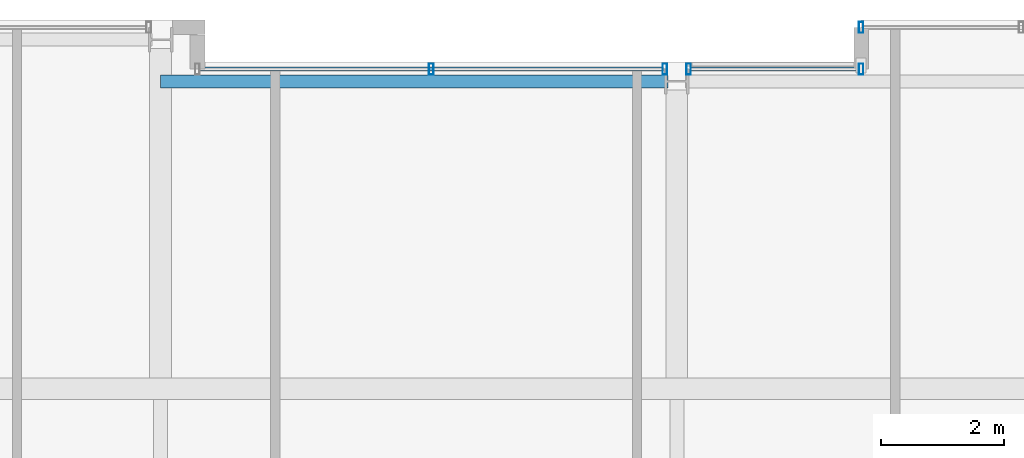
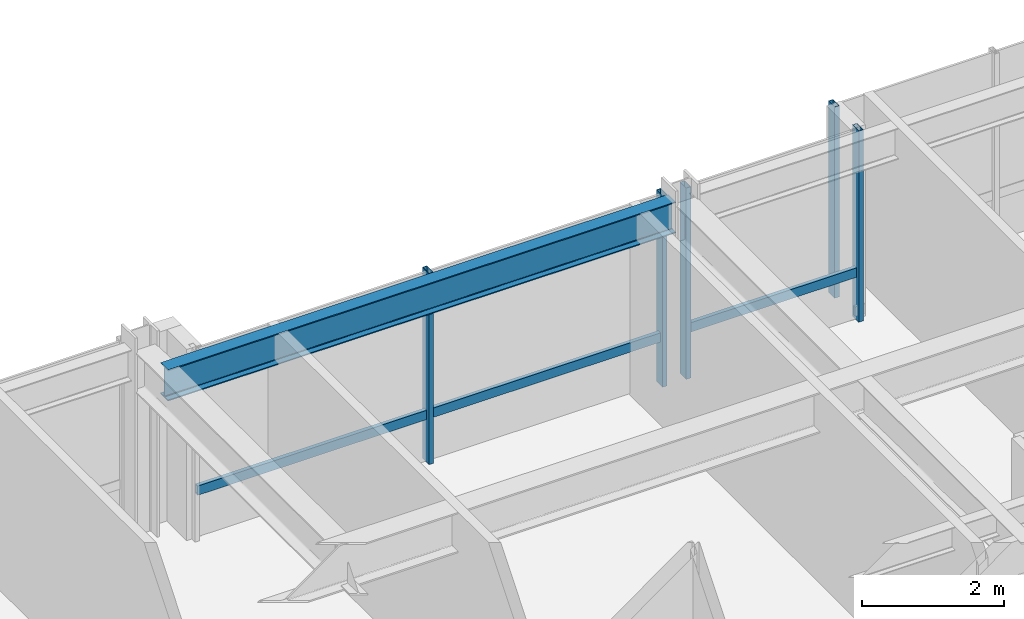
# One storey, part 20 of 32: 7 members, 1 beam, 3 elements without a shape of their own.
"""IFC4 building model written with IfcOpenShell, lengths in metres."""

from ifc_helpers import new_model, si_unit, direction, frame, origin, origin_2d, place, context, subcontext, project, spatial, hollow_rectangle, i_section, extrude, material, layer, layer_set, material_profile, profile_set, type_object, element, aggregate, save


model = new_model("IFC4")

# Units and contexts
model_context = context("Model", 3, precision=1e-05, world=origin(), true_north=direction((0.0, 1.0)))
body_context = subcontext(model_context, "Body", "Model", "MODEL_VIEW")
ifc_project = project(units=[si_unit("LENGTHUNIT", "METRE"), si_unit("AREAUNIT", "SQUARE_METRE"), si_unit("VOLUMEUNIT", "CUBIC_METRE"), si_unit("PLANEANGLEUNIT", "RADIAN"), si_unit("MASSUNIT", "GRAM", prefix="KILO")], contexts=[model_context])

# Site, building, storey
site_placement = place(None, origin())
site = spatial("IfcSite", under=ifc_project, at=site_placement, CompositionType="ELEMENT")
building_placement = place(site_placement, origin())
building = spatial("IfcBuilding", under=site, at=building_placement, Name="Drelvath Grand Hotel", CompositionType="ELEMENT")
storey_placement = place(building_placement, frame((0.0, 0.0, 182.35009765625)))
storey = spatial("IfcBuildingStorey", under=building, at=storey_placement, Name="L47", CompositionType="ELEMENT", Elevation=182.35009765625)

# Curtain wall, member
ifc_material_1 = material(Name="Brushed Pale-Silver Anodised Aluminium Frame", Category="aluminium")
ifc_layer = layer(ifc_material_1, 0.199951171875)
ifc_layer_set = layer_set([ifc_layer], Name="Brushed Pale-Silver Anodised Aluminium Frame")
curtain_wall_type = type_object("IfcCurtainWallType", Name="Stick Curtain Wall CW-04 Brushed Silver Upper-Mid", PredefinedType="NOTDEFINED", material=ifc_layer_set)
curtain_wall_1_placement = place(storey_placement, origin())
curtain_wall_1 = element("IfcCurtainWall", 1, at=curtain_wall_1_placement, inside=storey, type_object=curtain_wall_type, Name="L47 CW-04 Curtain Wall CW04-L47-NM1", PredefinedType="NOTDEFINED")
ifc_material_profile_1 = material_profile(ifc_material_1, hollow_rectangle(XDim=0.06494140625, YDim=0.159912109375, WallThickness=0.00390625, at=origin_2d()), Name="HSS160X65X4")
ifc_profile_set_1 = profile_set([ifc_material_profile_1], Name="Brushed Pale-Silver Anodised Aluminium Frame")
member_type_1 = type_object("IfcMemberType", Name="Curtain Wall Horizontal Transom CW-04 HSS160X65X4", PredefinedType="USERDEFINED", material=ifc_profile_set_1)
member_1_placement = place(storey_placement, frame((-7.760009765625, 48.39990234375, 0.822509765625), z_axis=(1.0, 0.0, 0.0), x_axis=(0.0, 1.0, 0.0)))
member_1 = element("IfcMember", 2, at=member_1_placement, type_object=member_type_1, Name="CW04-L47-NM1 Sill Transom", ObjectType="TRANSOM", PredefinedType="USERDEFINED", context=body_context, shape_type="SweptSolid", body=[
    extrude(hollow_rectangle(XDim=0.06494140625, YDim=0.159912109375, WallThickness=0.00390625, at=origin_2d()), origin(), (0.0, 0.0, 1.0), 7.5283203125),
])

curtain_wall_2_placement = place(storey_placement, origin())
curtain_wall_2 = element("IfcCurtainWall", 3, at=curtain_wall_2_placement, inside=storey, type_object=curtain_wall_type, Name="L47 CW-04 Curtain Wall CW04-L47-NM2", PredefinedType="NOTDEFINED")
member_2_placement = place(storey_placement, frame((0.231689453125, 48.39990234375, 0.822509765625), z_axis=(1.0, 0.0, 0.0), x_axis=(0.0, 1.0, 0.0)))
member_2 = element("IfcMember", 4, at=member_2_placement, type_object=member_type_1, Name="CW04-L47-NM2 Sill Transom", ObjectType="TRANSOM", PredefinedType="USERDEFINED", context=body_context, shape_type="SweptSolid", body=[
    extrude(hollow_rectangle(XDim=0.06494140625, YDim=0.159912109375, WallThickness=0.00390625, at=origin_2d()), origin(), (0.0, 0.0, 1.0), 2.728271484375),
])

# Member
ifc_material_profile_2 = material_profile(ifc_material_1, hollow_rectangle(XDim=0.074951171875, YDim=0.179931640625, WallThickness=0.0048828125, at=origin_2d()), Name="HSS180X75X5")
ifc_profile_set_2 = profile_set([ifc_material_profile_2], Name="Brushed Pale-Silver Anodised Aluminium Frame")
member_type_2 = type_object("IfcMemberType", Name="Curtain Wall Vertical Mullion CW-04 HSS180X75X5", PredefinedType="MULLION", material=ifc_profile_set_2)
member_3_placement = place(storey_placement, frame((-3.995849609375, 48.39990234375, 0.0), z_axis=(0.0, 0.0, 1.0), x_axis=(1.0, 0.0, 0.0)))
member_3 = element("IfcMember", 5, at=member_3_placement, type_object=member_type_2, Name="CW04-L47-NM1 Mullion 2", PredefinedType="MULLION", context=body_context, shape_type="SweptSolid", body=[
    extrude(hollow_rectangle(XDim=0.074951171875, YDim=0.179931640625, WallThickness=0.0048828125, at=origin_2d()), origin(), (0.0, 0.0, 1.0), 3.289794921875),
])

member_4_placement = place(storey_placement, frame((-0.191650390625, 48.39990234375, 0.0), z_axis=(0.0, 0.0, 1.0), x_axis=(1.0, 0.0, 0.0)))
member_4 = element("IfcMember", 6, at=member_4_placement, type_object=member_type_2, Name="CW04-L47-NM1 Mullion 3", PredefinedType="MULLION", context=body_context, shape_type="SweptSolid", body=[
    extrude(hollow_rectangle(XDim=0.074951171875, YDim=0.179931640625, WallThickness=0.0048828125, at=origin_2d()), origin(), (0.0, 0.0, 1.0), 3.289794921875),
])

aggregate(curtain_wall_1, [member_3, member_4, member_1])

member_5_placement = place(storey_placement, frame((0.191650390625, 48.39990234375, 0.0), z_axis=(0.0, 0.0, 1.0), x_axis=(1.0, 0.0, 0.0)))
member_5 = element("IfcMember", 7, at=member_5_placement, type_object=member_type_2, Name="CW04-L47-NM2 Mullion 1", PredefinedType="MULLION", context=body_context, shape_type="SweptSolid", body=[
    extrude(hollow_rectangle(XDim=0.074951171875, YDim=0.179931640625, WallThickness=0.0048828125, at=origin_2d()), origin(), (0.0, 0.0, 1.0), 3.289794921875),
])

member_6_placement = place(storey_placement, frame((3.0, 48.39990234375, 0.0), z_axis=(0.0, 0.0, 1.0), x_axis=(1.0, 0.0, 0.0)))
member_6 = element("IfcMember", 8, at=member_6_placement, type_object=member_type_2, Name="CW04-L47-NM2 Mullion 2", PredefinedType="MULLION", context=body_context, shape_type="SweptSolid", body=[
    extrude(hollow_rectangle(XDim=0.074951171875, YDim=0.179931640625, WallThickness=0.0048828125, at=origin_2d()), origin(), (0.0, 0.0, 1.0), 3.289794921875),
])

aggregate(curtain_wall_2, [member_5, member_6, member_2])

# Curtain wall, member
curtain_wall_3_placement = place(storey_placement, origin())
curtain_wall_3 = element("IfcCurtainWall", 9, at=curtain_wall_3_placement, inside=storey, type_object=curtain_wall_type, Name="L47 CW-04 Curtain Wall CW04-L47-NE1", PredefinedType="NOTDEFINED")
member_7_placement = place(storey_placement, frame((3.0, 49.080078125, 0.0), z_axis=(0.0, 0.0, 1.0), x_axis=(1.0, 0.0, 0.0)))
member_7 = element("IfcMember", 10, at=member_7_placement, type_object=member_type_2, Name="CW04-L47-NE1 Mullion 1", PredefinedType="MULLION", context=body_context, shape_type="SweptSolid", body=[
    extrude(hollow_rectangle(XDim=0.074951171875, YDim=0.179931640625, WallThickness=0.0048828125, at=origin_2d()), origin(), (0.0, 0.0, 1.0), 3.289794921875),
])
aggregate(curtain_wall_3, [member_7])

# Beam
ifc_material_2 = material(Name="Steel ASTM A992 Gr 50", Category="steel")
ifc_material_profile_3 = material_profile(ifc_material_2, i_section(OverallWidth=0.210205078125, OverallDepth=0.53662109375, WebThickness=0.010986328125, FlangeThickness=0.017333984375, FilletRadius=0.01806640625, at=origin_2d()), Name="W21X68")
ifc_profile_set_3 = profile_set([ifc_material_profile_3], Name="Steel ASTM A992 Gr 50")
beam_type = type_object("IfcBeamType", Name="Perimeter Spandrel Beam W21X68", PredefinedType="SPANDREL", material=ifc_profile_set_3)
beam_placement = place(storey_placement, frame((-8.39990234375, 48.199951171875, 3.021484375), z_axis=(1.0, 0.0, 0.0), x_axis=(0.0, 1.0, 0.0)))
element("IfcBeam", 11, at=beam_placement, inside=storey, type_object=beam_type, Name="L47 Spandrel North Mid W", PredefinedType="SPANDREL", context=body_context, shape_type="SweptSolid", body=[
    extrude(i_section(OverallWidth=0.210205078125, OverallDepth=0.53662109375, WebThickness=0.010986328125, FlangeThickness=0.017333984375, FilletRadius=0.01806640625, at=origin_2d()), origin(), (0.0, 0.0, 1.0), 8.260009765625),
])

save(model, "model.ifc")
